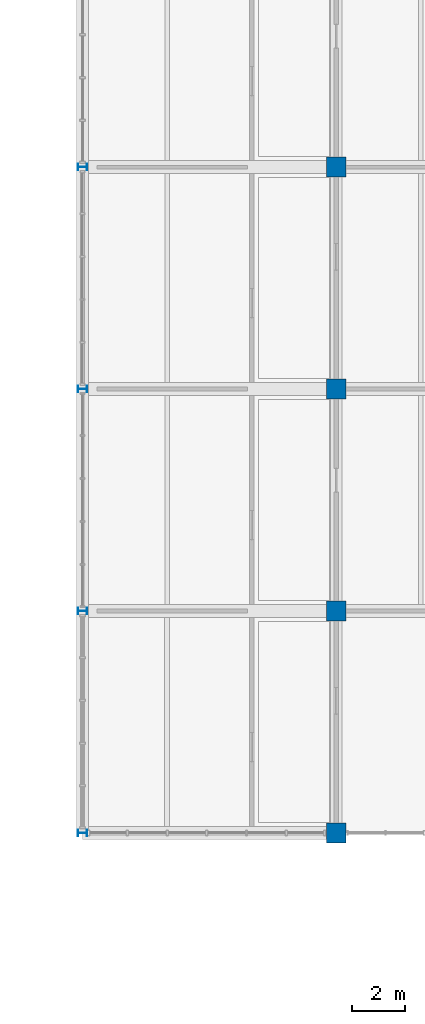
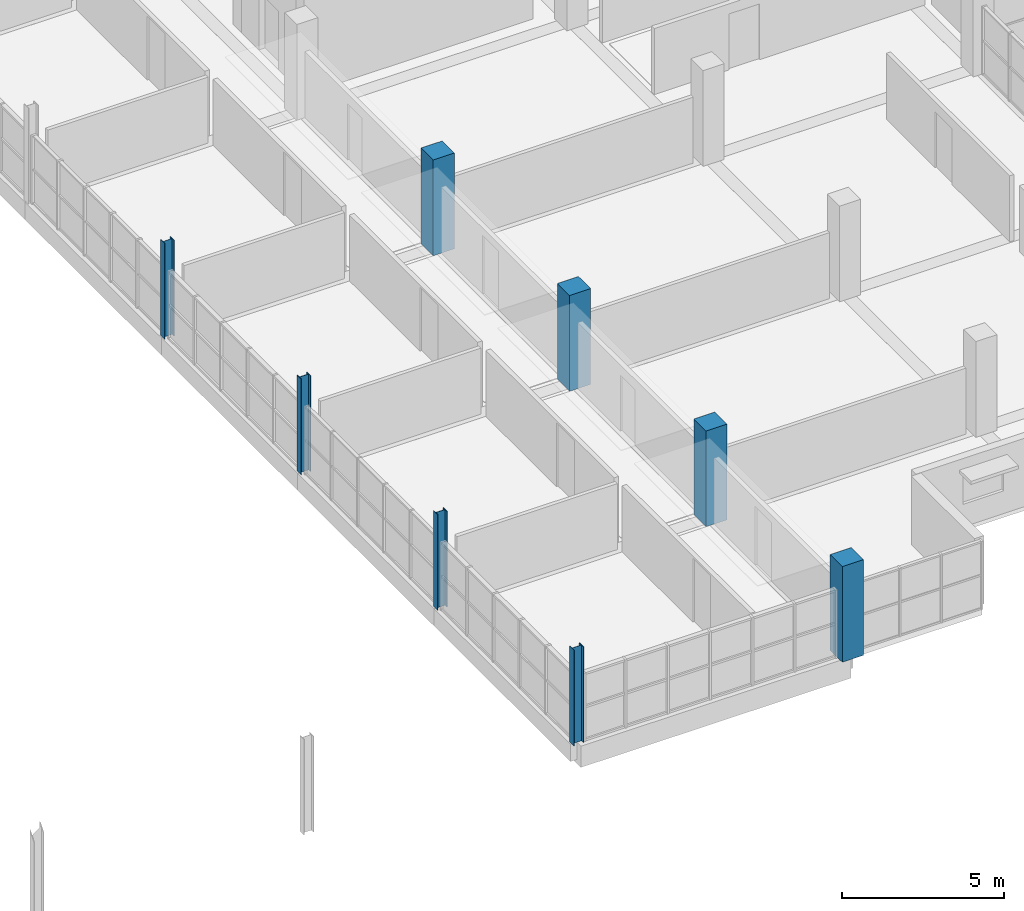
# One storey, part 5 of 147: 8 columns.
"""IFC4 building model written with IfcOpenShell, lengths in metres."""

from ifc_helpers import new_model, si_unit, direction, frame, origin, origin_2d, place, context, subcontext, project, spatial, rectangle, i_section, extrude, material, material_profile, profile_set, type_object, element, save


model = new_model("IFC4")

# Units and contexts
model_context = context("Model", 3, precision=1e-05, world=origin(), true_north=direction((0.0, 1.0)))
body_context = subcontext(model_context, "Body", "Model", "MODEL_VIEW")
ifc_project = project(units=[si_unit("LENGTHUNIT", "METRE"), si_unit("AREAUNIT", "SQUARE_METRE"), si_unit("VOLUMEUNIT", "CUBIC_METRE"), si_unit("PLANEANGLEUNIT", "RADIAN"), si_unit("MASSUNIT", "GRAM", prefix="KILO")], contexts=[model_context])

# Site, building, storey
site_placement = place(None, origin())
site = spatial("IfcSite", under=ifc_project, at=site_placement, CompositionType="ELEMENT")
building_placement = place(site_placement, origin())
building = spatial("IfcBuilding", under=site, at=building_placement, Name="Oolite Switchyard Hospital", CompositionType="ELEMENT")
storey_placement = place(building_placement, frame((0.0, 0.0, 9.89990234375)))
storey = spatial("IfcBuildingStorey", under=building, at=storey_placement, Name="L02", CompositionType="ELEMENT", Elevation=9.89990234375)

# Columns
ifc_material_1 = material(Name="Concrete C50/60", Category="concrete")
ifc_material_profile_1 = material_profile(ifc_material_1, rectangle(XDim=0.75, YDim=0.75, at=origin_2d()), Name="RC750X750")
ifc_profile_set_1 = profile_set([ifc_material_profile_1], Name="Concrete C50/60")
column_type_1 = type_object("IfcColumnType", Name="COL-RC750", PredefinedType="COLUMN", material=ifc_profile_set_1)
for number, where, z_axis, x_axis, name in (
    (1, (124.800048828125, 33.60009765625, 0.0), (0.0, 0.0, 1.0), (1.0, 0.0, 0.0), "L02 Column 783"),
    (2, (124.800048828125, 42.0, 0.0), (0.0, 0.0, 1.0), (1.0, 0.0, 0.0), "L02 Column 784"),
    (3, (124.800048828125, 50.39990234375, 0.0), (0.0, 0.0, 1.0), (1.0, 0.0, 0.0), "L02 Column 785"),
    (4, (124.800048828125, 58.800048828125, 0.0), (0.0, 0.0, 1.0), (1.0, 0.0, 0.0), "L02 Column 786"),
):
    element("IfcColumn", number, at=place(storey_placement, frame(where, z_axis=z_axis, x_axis=x_axis)), inside=storey, type_object=column_type_1, Name=name, PredefinedType="COLUMN", context=body_context, shape_type="SweptSolid", body=[
        extrude(rectangle(XDim=0.75, YDim=0.75, at=origin_2d()), origin(), (0.0, 0.0, 1.0), 3.60009765625),
    ])
ifc_material_2 = material(Name="Steel ASTM A992 Grade 50", Category="steel")
ifc_material_profile_2 = material_profile(ifc_material_2, i_section(OverallWidth=0.25390625, OverallDepth=0.35595703125, WebThickness=0.010986328125, FlangeThickness=0.01806640625, at=origin_2d()), Name="W14X68")
ifc_profile_set_2 = profile_set([ifc_material_profile_2], Name="Steel ASTM A992 Grade 50")
column_type_2 = type_object("IfcColumnType", Name="COL-STL14X68", PredefinedType="COLUMN", material=ifc_profile_set_2)
for number, where, z_axis, x_axis, name in (
    (5, (115.199951171875, 33.60009765625, 0.0), (0.0, 0.0, 1.0), (0.0, -1.0, 0.0), "L02 Column 772"),
    (6, (115.199951171875, 42.0, 0.0), (0.0, 0.0, 1.0), (0.0, -1.0, 0.0), "L02 Column 773"),
    (7, (115.199951171875, 50.39990234375, 0.0), (0.0, 0.0, 1.0), (0.0, -1.0, 0.0), "L02 Column 774"),
    (8, (115.199951171875, 58.800048828125, 0.0), (0.0, 0.0, 1.0), (0.0, -1.0, 0.0), "L02 Column 775"),
):
    element("IfcColumn", number, at=place(storey_placement, frame(where, z_axis=z_axis, x_axis=x_axis)), inside=storey, type_object=column_type_2, Name=name, PredefinedType="COLUMN", context=body_context, shape_type="SweptSolid", body=[
        extrude(i_section(OverallWidth=0.25390625, OverallDepth=0.35595703125, WebThickness=0.010986328125, FlangeThickness=0.01806640625, at=origin_2d()), origin(), (0.0, 0.0, 1.0), 3.60009765625),
    ])

save(model, "model.ifc")
